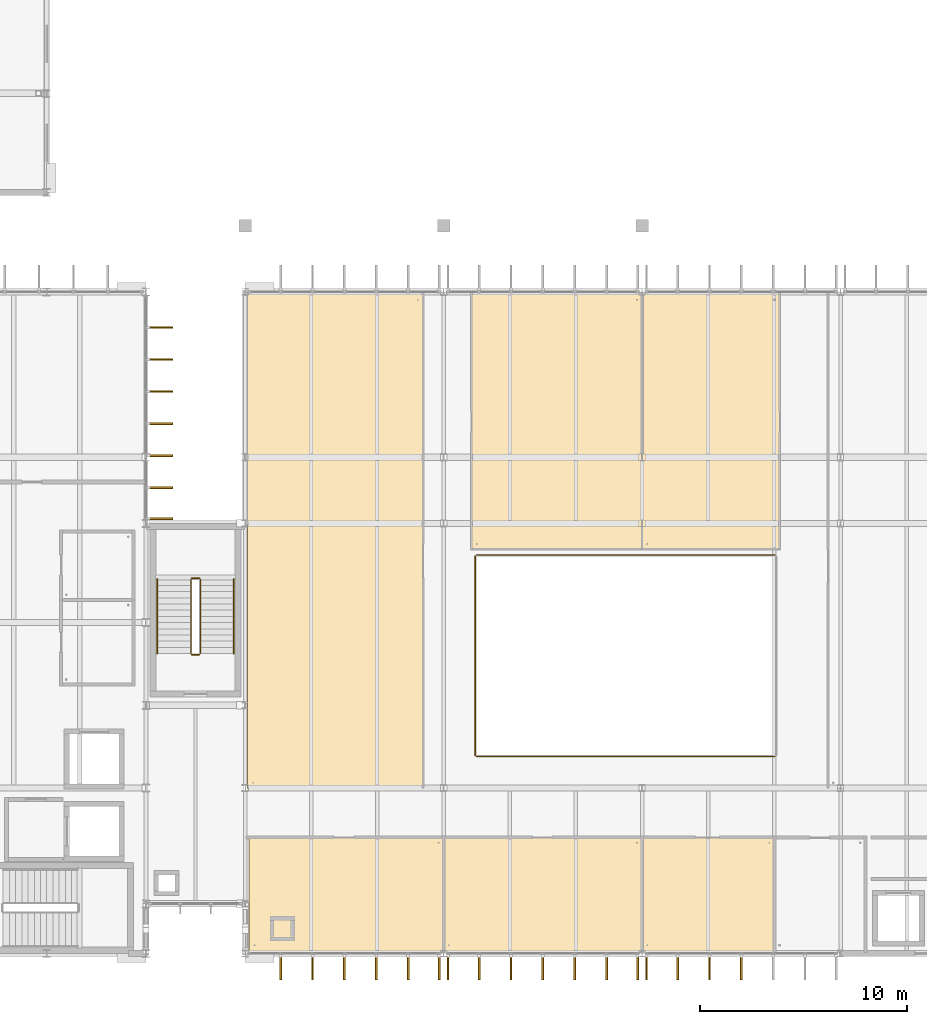
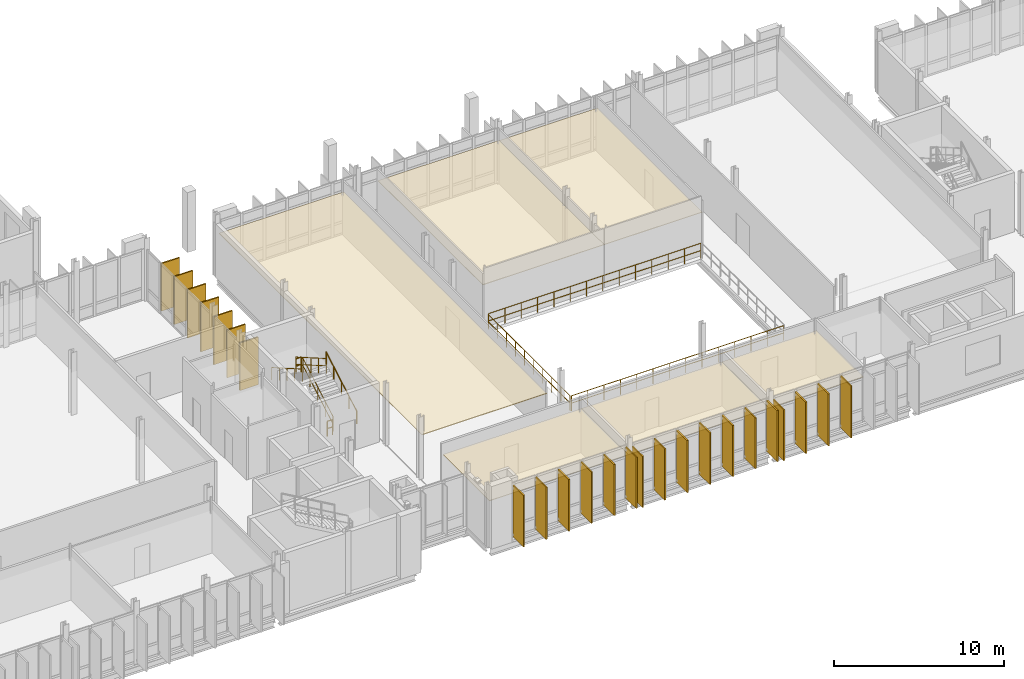
# One storey, part 102 of 110: 30 coverings, 9 railings.
"""IFC4 building model written with IfcOpenShell, lengths in metres."""

import ifcopenshell
import ifcopenshell.guid

model = None  # the IFC model being written
_history = None  # IfcOwnerHistory: only IFC2X3 demands one
_inside = {}  # id of a spatial element -> (the spatial element, [elements in it])
_under = {}  # id of a project, library or spatial element -> (it, [spatial elements below it])
_declared = {}  # id of a project -> (the project, [libraries it declares])
_typed = {}  # id of a type object -> (the type object, [elements of that type])
_made_of = {}  # id of a material, layer set ... -> (it, [elements and type objects made of it])


def new_model(schema):
    """Start an empty IFC model of exactly this schema.

    Asked for "IFC4X3", IfcOpenShell would pick the latest addendum, in which some entities
    have other attributes; the version numbers below select the first issue.
    IFC2X3 requires an IfcOwnerHistory on every rooted entity: one is made here for all.
    """
    global model, _history
    if schema == "IFC4X3":
        model = ifcopenshell.file(schema_version=(4, 3, 0, 0))
    else:
        model = ifcopenshell.file(schema=schema)
    _inside.clear()
    _under.clear()
    _declared.clear()
    _typed.clear()
    _made_of.clear()
    _history = None
    if model.schema == "IFC2X3":
        org = make("IfcOrganization", Name="unknown")
        user = make(
            "IfcPersonAndOrganization",
            ThePerson=make("IfcPerson", FamilyName="unknown"),
            TheOrganization=org,
        )
        app = make(
            "IfcApplication",
            ApplicationDeveloper=org,
            Version="unknown",
            ApplicationFullName="unknown",
            ApplicationIdentifier="unknown",
        )
        _history = make(
            "IfcOwnerHistory",
            OwningUser=user,
            OwningApplication=app,
            ChangeAction="ADDED",
            CreationDate=0,
        )
    return model


def make(cls, **values):
    """One entity of the class cls with the attributes given. An attribute that is None is left unset."""
    return model.create_entity(
        cls, **{name: value for name, value in values.items() if value is not None}
    )


def rooted(cls, **values):
    """An entity with a GlobalId (a new one), such as an element, a storey or a relation."""
    return make(cls, GlobalId=ifcopenshell.guid.new(), OwnerHistory=_history, **values)


def si_unit(unit_type, name, prefix=None):
    """IfcSIUnit, for example si_unit("LENGTHUNIT", "METRE", prefix="MILLI")."""
    return make("IfcSIUnit", UnitType=unit_type, Prefix=prefix, Name=name)


def assignment(units):
    """IfcUnitAssignment: the units of a project."""
    return None if units is None else make("IfcUnitAssignment", Units=units)


def point(xyz):
    """IfcCartesianPoint."""
    return None if xyz is None else make("IfcCartesianPoint", Coordinates=xyz)


def direction(xyz):
    """IfcDirection."""
    return None if xyz is None else make("IfcDirection", DirectionRatios=xyz)


def frame(location, z_axis=None, x_axis=None):
    """IfcAxis2Placement3D, a coordinate frame: its origin and axes. An axis left out is left unset."""
    return make(
        "IfcAxis2Placement3D",
        Location=point(location),
        Axis=direction(z_axis),
        RefDirection=direction(x_axis),
    )


def frame_2d(location, x_axis=None):
    """IfcAxis2Placement2D, a coordinate frame in the plane: its origin and x axis."""
    return make(
        "IfcAxis2Placement2D", Location=point(location), RefDirection=direction(x_axis)
    )


def origin():
    """The frame at (0, 0, 0) with its axes left unset."""
    return frame((0.0, 0.0, 0.0))


def origin_2d():
    """The frame at (0, 0) in the plane with its x axis left unset."""
    return frame_2d((0.0, 0.0))


def place(relative_to, where):
    """IfcLocalPlacement: puts the frame where relative to a parent placement (None: the world)."""
    return make(
        "IfcLocalPlacement", PlacementRelTo=relative_to, RelativePlacement=where
    )


def context(
    kind, dimensions, precision=None, world=None, true_north=None, identifier=None
):
    """IfcGeometricRepresentationContext, for example the 3D "Model" context."""
    return make(
        "IfcGeometricRepresentationContext",
        ContextIdentifier=identifier,
        ContextType=kind,
        CoordinateSpaceDimension=dimensions,
        Precision=precision,
        WorldCoordinateSystem=world,
        TrueNorth=true_north,
    )


def subcontext(parent, identifier, kind, view, scale=None):
    """IfcGeometricRepresentationSubContext, for example "Body" below "Model"."""
    return make(
        "IfcGeometricRepresentationSubContext",
        ContextIdentifier=identifier,
        ContextType=kind,
        ParentContext=parent,
        TargetScale=scale,
        TargetView=view,
    )


def project(units=None, contexts=None):
    """IfcProject with its units and contexts."""
    return rooted(
        "IfcProject",
        Name="project",
        RepresentationContexts=contexts,
        UnitsInContext=assignment(units),
    )


def spatial(cls, under=None, at=None, **own):
    """A site, building, storey or space (cls), placed at a placement, below another one or the project."""
    s = rooted(cls, ObjectPlacement=at, **own)
    if under is not None:
        _under.setdefault(under.id(), (under, []))[1].append(s)
    return s


def polyline(points):
    """IfcPolyline through the points."""
    return make("IfcPolyline", Points=[point(p) for p in points])


def profile(cls, at=None, kind="AREA", **sizes):
    """A parametric profile (cls). Its sizes go by their IFC names, for example OverallWidth=200.0."""
    return make(cls, ProfileType=kind, Position=at, **sizes)


def rectangle(**sizes):
    """IfcRectangleProfileDef."""
    return profile("IfcRectangleProfileDef", **sizes)


def circle(**sizes):
    """IfcCircleProfileDef."""
    return profile("IfcCircleProfileDef", **sizes)


def outline(outer, holes=None, kind="AREA"):
    """IfcArbitraryClosedProfileDef: a profile drawn as a closed curve; with holes, ...WithVoids."""
    if holes is None:
        return make("IfcArbitraryClosedProfileDef", ProfileType=kind, OuterCurve=outer)
    return make(
        "IfcArbitraryProfileDefWithVoids",
        ProfileType=kind,
        OuterCurve=outer,
        InnerCurves=holes,
    )


def extrude(swept, where, along, depth):
    """IfcExtrudedAreaSolid: the profile swept, set in the frame where, extruded along a direction by depth."""
    return make(
        "IfcExtrudedAreaSolid",
        SweptArea=swept,
        Position=where,
        ExtrudedDirection=direction(along),
        Depth=depth,
    )


def shape(context_of_items, identifier, shape_type, items):
    """IfcShapeRepresentation: the items that make up one representation, for example the "Body"."""
    return make(
        "IfcShapeRepresentation",
        ContextOfItems=context_of_items,
        RepresentationIdentifier=identifier,
        RepresentationType=shape_type,
        Items=items,
    )


def material(Name=None, Category=None):
    """IfcMaterial."""
    return make("IfcMaterial", Name=Name, Category=Category)


def layer(
    of_material, thickness, ventilated=None, Name=None, Category=None, Priority=None
):
    """IfcMaterialLayer: one layer of a wall or slab, of a material (None: an air gap)."""
    return make(
        "IfcMaterialLayer",
        Material=of_material,
        LayerThickness=thickness,
        IsVentilated=ventilated,
        Name=Name,
        Category=Category,
        Priority=Priority,
    )


def layer_set(layers, Name=None):
    """IfcMaterialLayerSet."""
    return make("IfcMaterialLayerSet", MaterialLayers=layers, LayerSetName=Name)


def made_of(thing, what):
    """Note that an element or type object is made of a material, layer set ...; save() writes the relation."""
    if what is not None:
        _made_of.setdefault(what.id(), (what, []))[1].append(thing)
    return thing


def type_object(cls, material=None, **own):
    """A type object (cls), such as IfcWallType, which elements share."""
    return made_of(rooted(cls, **own), material)


def element(
    cls,
    number,
    at=None,
    inside=None,
    cuts=None,
    type_object=None,
    material=None,
    context=None,
    identifier="Body",
    shape_type=None,
    held_by="IfcProductDefinitionShape",
    body=None,
    shapes=None,
    **own,
):
    """One element of the class cls, such as IfcWall. Its Tag is "e" and its number.

    at: its placement. inside: the storey or other place that contains it. cuts: it is an
    opening in that element (IfcRelVoidsElement). A single representation is given by context,
    identifier, shape_type and body (its items); several are given by shapes. held_by: the class
    of the entity that holds the representations. save() writes the other relations.
    """
    e = rooted(cls, Tag="e%d" % number, ObjectPlacement=at, **own)
    if body is not None:
        shapes = [shape(context, identifier, shape_type, body)]
    if shapes is not None:
        e.Representation = make(held_by, Representations=shapes)
    if inside is not None:
        _inside.setdefault(inside.id(), (inside, []))[1].append(e)
    if cuts is not None:
        rooted(
            "IfcRelVoidsElement", RelatingBuildingElement=cuts, RelatedOpeningElement=e
        )
    if type_object is not None:
        _typed.setdefault(type_object.id(), (type_object, []))[1].append(e)
    return made_of(e, material)


def aggregate(whole, parts):
    """IfcRelAggregates: a whole, such as a stair, and the parts it consists of."""
    return rooted("IfcRelAggregates", RelatingObject=whole, RelatedObjects=parts)


def save(model, path):
    """Write the relations noted so far, then the file.

    IfcRelAggregates (storeys below a building ...), IfcRelContainedInSpatialStructure (elements
    in a storey), IfcRelDefinesByType, IfcRelAssociatesMaterial and IfcRelDeclares: one each for
    every whole, place, type object, material and project.
    """
    for whole, parts in _under.values():
        aggregate(whole, parts)
    for where, things in _inside.values():
        rooted(
            "IfcRelContainedInSpatialStructure",
            RelatedElements=things,
            RelatingStructure=where,
        )
    for kind, things in _typed.values():
        rooted("IfcRelDefinesByType", RelatedObjects=things, RelatingType=kind)
    for what, things in _made_of.values():
        rooted("IfcRelAssociatesMaterial", RelatedObjects=things, RelatingMaterial=what)
    for by, libraries in _declared.values():
        rooted("IfcRelDeclares", RelatingContext=by, RelatedDefinitions=libraries)
    model.write(path)


model = new_model("IFC4")

# Units and contexts
model_context = context("Model", 3, precision=1e-05, world=origin(), true_north=direction((0.0, 1.0)))
body_context = subcontext(model_context, "Body", "Model", "MODEL_VIEW")
ifc_project = project(units=[si_unit("LENGTHUNIT", "METRE"), si_unit("AREAUNIT", "SQUARE_METRE"), si_unit("VOLUMEUNIT", "CUBIC_METRE"), si_unit("PLANEANGLEUNIT", "RADIAN"), si_unit("MASSUNIT", "GRAM", prefix="KILO")], contexts=[model_context])

# Site, building, storey
site_placement = place(None, origin())
site = spatial("IfcSite", under=ifc_project, at=site_placement, CompositionType="ELEMENT")
building_placement = place(site_placement, origin())
building = spatial("IfcBuilding", under=site, at=building_placement, Name="Dunescarp Central Library", CompositionType="ELEMENT")
storey_placement = place(building_placement, frame((0.0, 0.0, 9.60009765625)))
storey = spatial("IfcBuildingStorey", under=building, at=storey_placement, Name="L02", CompositionType="ELEMENT", Elevation=9.60009765625)

# Coverings
ifc_material_1 = material(Name="Perforated birch acoustic timber baffle", Category="wood")
ifc_layer_1 = layer(ifc_material_1, 0.050048828125)
ifc_layer_set_1 = layer_set([ifc_layer_1], Name="Perforated birch acoustic timber baffle")
covering_type_1 = type_object("IfcCoveringType", Name="ARC-COV-BAFFLE", PredefinedType="CEILING", material=ifc_layer_set_1)
covering_1_placement = place(storey_placement, frame((0.0, 0.0, 3.0498046875)))
element("IfcCovering", 1, at=covering_1_placement, inside=storey, type_object=covering_type_1, Name="L02 ceiling L02 Periodical Reading Alcove", PredefinedType="CEILING", context=body_context, shape_type="SweptSolid", body=[
    extrude(outline(polyline([(57.580078125, 4.919921875), (64.02001953125, 4.919921875), (64.02001953125, 10.419921875), (57.580078125, 10.419921875), (57.580078125, 4.919921875)])), origin(), (0.0, 0.0, 1.0), 0.050048828125),
])
covering_2_placement = place(storey_placement, frame((0.0, 0.0, 3.0498046875)))
element("IfcCovering", 2, at=covering_2_placement, inside=storey, type_object=covering_type_1, Name="L02 ceiling L02 West Stepped Reading Terrace", PredefinedType="CEILING", context=body_context, shape_type="SweptSolid", body=[
    extrude(outline(polyline([(38.52001953125, 12.780029296875), (47.02001953125, 12.780029296875), (47.02001953125, 36.679931640625), (38.52001953125, 36.679931640625), (38.52001953125, 12.780029296875)])), origin(), (0.0, 0.0, 1.0), 0.050048828125),
])
ifc_material_2 = material(Name="Mineral-fibre acoustic ceiling tile")
ifc_layer_2 = layer(ifc_material_2, 0.0400390625)
ifc_layer_set_2 = layer_set([ifc_layer_2], Name="Mineral-fibre acoustic ceiling tile")
covering_type_2 = type_object("IfcCoveringType", Name="ARC-COV-CEIL40", PredefinedType="CEILING", material=ifc_layer_set_2)
covering_3_placement = place(storey_placement, frame((0.0, 0.0, 3.0498046875)))
element("IfcCovering", 3, at=covering_3_placement, inside=storey, type_object=covering_type_2, Name="L02 ceiling L02 Group Study Room A", PredefinedType="CEILING", context=body_context, shape_type="SweptSolid", body=[
    extrude(outline(polyline([(38.580078125, 4.919921875), (48.02001953125, 4.919921875), (48.02001953125, 10.419921875), (38.580078125, 10.419921875), (38.580078125, 4.919921875)])), origin(), (0.0, 0.0, 1.0), 0.0400390625),
])
covering_4_placement = place(storey_placement, frame((0.0, 0.0, 3.0498046875)))
element("IfcCovering", 4, at=covering_4_placement, inside=storey, type_object=covering_type_2, Name="L02 ceiling L02 Group Study Room B", PredefinedType="CEILING", context=body_context, shape_type="SweptSolid", body=[
    extrude(outline(polyline([(47.97998046875, 4.919921875), (57.6201171875, 4.919921875), (57.6201171875, 10.419921875), (47.97998046875, 10.419921875), (47.97998046875, 4.919921875)])), origin(), (0.0, 0.0, 1.0), 0.0400390625),
])
covering_5_placement = place(storey_placement, frame((0.0, 0.0, 3.0498046875)))
element("IfcCovering", 5, at=covering_5_placement, inside=storey, type_object=covering_type_2, Name="L02 ceiling L02 North Water-Court Study Lounge West", PredefinedType="CEILING", context=body_context, shape_type="SweptSolid", body=[
    extrude(outline(polyline([(49.330078125, 24.330078125), (57.6201171875, 24.330078125), (57.6201171875, 36.679931640625), (49.330078125, 36.679931640625), (49.330078125, 24.330078125)])), origin(), (0.0, 0.0, 1.0), 0.0400390625),
])
covering_6_placement = place(storey_placement, frame((0.0, 0.0, 3.0498046875)))
element("IfcCovering", 6, at=covering_6_placement, inside=storey, type_object=covering_type_2, Name="L02 ceiling L02 North Water-Court Study Lounge East", PredefinedType="CEILING", context=body_context, shape_type="SweptSolid", body=[
    extrude(outline(polyline([(57.580078125, 24.330078125), (64.27001953125, 24.330078125), (64.27001953125, 36.679931640625), (57.580078125, 36.679931640625), (57.580078125, 24.330078125)])), origin(), (0.0, 0.0, 1.0), 0.0400390625),
])
ifc_material_3 = material(Name="Glass-fibre reinforced concrete GRC", Category="concrete")
ifc_layer_3 = layer(ifc_material_3, 0.090087890625)
ifc_layer_set_3 = layer_set([ifc_layer_3], Name="Glass-fibre reinforced concrete GRC")
covering_type_3 = type_object("IfcCoveringType", Name="ARC-COV-FIN1250", PredefinedType="CLADDING", material=ifc_layer_set_3)
covering_7_placement = place(storey_placement, frame((34.261962890625, 35.074951171875, 0.17919921875), z_axis=(0.0, 0.0, 1.0), x_axis=(1.0, 0.0, 0.0)))
element("IfcCovering", 7, at=covering_7_placement, inside=storey, type_object=covering_type_3, Name="L02 parametric vertical facade fin FIN-L02-0113", PredefinedType="CLADDING", context=body_context, shape_type="SweptSolid", body=[
    extrude(rectangle(XDim=1.25, YDim=0.090087890625, at=origin_2d()), origin(), (0.0, 0.0, 1.0), 3.425048828125),
])
covering_8_placement = place(storey_placement, frame((34.261962890625, 33.52490234375, 0.16455078125), z_axis=(0.0, 0.0, 1.0), x_axis=(1.0, 0.0, 0.0)))
element("IfcCovering", 8, at=covering_8_placement, inside=storey, type_object=covering_type_3, Name="L02 parametric vertical facade fin FIN-L02-0114", PredefinedType="CLADDING", context=body_context, shape_type="SweptSolid", body=[
    extrude(rectangle(XDim=1.25, YDim=0.090087890625, at=origin_2d()), origin(), (0.0, 0.0, 1.0), 3.44091796875),
])
covering_9_placement = place(storey_placement, frame((34.261962890625, 31.97509765625, 0.123046875), z_axis=(0.0, 0.0, 1.0), x_axis=(1.0, 0.0, 0.0)))
element("IfcCovering", 9, at=covering_9_placement, inside=storey, type_object=covering_type_3, Name="L02 parametric vertical facade fin FIN-L02-0115", PredefinedType="CLADDING", context=body_context, shape_type="SweptSolid", body=[
    extrude(rectangle(XDim=1.25, YDim=0.090087890625, at=origin_2d()), origin(), (0.0, 0.0, 1.0), 3.48193359375),
])
covering_10_placement = place(storey_placement, frame((34.261962890625, 30.425048828125, 0.080078125), z_axis=(0.0, 0.0, 1.0), x_axis=(1.0, 0.0, 0.0)))
element("IfcCovering", 10, at=covering_10_placement, inside=storey, type_object=covering_type_3, Name="L02 parametric vertical facade fin FIN-L02-0116", PredefinedType="CLADDING", context=body_context, shape_type="SweptSolid", body=[
    extrude(rectangle(XDim=1.25, YDim=0.090087890625, at=origin_2d()), origin(), (0.0, 0.0, 1.0), 3.513916015625),
])
covering_11_placement = place(storey_placement, frame((34.261962890625, 28.875, 0.080078125), z_axis=(0.0, 0.0, 1.0), x_axis=(1.0, 0.0, 0.0)))
element("IfcCovering", 11, at=covering_11_placement, inside=storey, type_object=covering_type_3, Name="L02 parametric vertical facade fin FIN-L02-0117", PredefinedType="CLADDING", context=body_context, shape_type="SweptSolid", body=[
    extrude(rectangle(XDim=1.25, YDim=0.090087890625, at=origin_2d()), origin(), (0.0, 0.0, 1.0), 3.464111328125),
])
covering_12_placement = place(storey_placement, frame((34.261962890625, 27.324951171875, 0.08056640625), z_axis=(0.0, 0.0, 1.0), x_axis=(1.0, 0.0, 0.0)))
element("IfcCovering", 12, at=covering_12_placement, inside=storey, type_object=covering_type_3, Name="L02 parametric vertical facade fin FIN-L02-0118", PredefinedType="CLADDING", context=body_context, shape_type="SweptSolid", body=[
    extrude(rectangle(XDim=1.25, YDim=0.090087890625, at=origin_2d()), origin(), (0.0, 0.0, 1.0), 3.430908203125),
])
covering_13_placement = place(storey_placement, frame((34.261962890625, 25.81494140625, 0.07958984375), z_axis=(0.0, 0.0, 1.0), x_axis=(1.0, 0.0, 0.0)))
element("IfcCovering", 13, at=covering_13_placement, inside=storey, type_object=covering_type_3, Name="L02 parametric vertical facade fin FIN-L02-0119", PredefinedType="CLADDING", context=body_context, shape_type="SweptSolid", body=[
    extrude(rectangle(XDim=1.25, YDim=0.090087890625, at=origin_2d()), origin(), (0.0, 0.0, 1.0), 3.427001953125),
])
covering_14_placement = place(storey_placement, frame((47.784912109375, 4.137939453125, 0.1669921875), z_axis=(0.0, 0.0, 1.0), x_axis=(0.0, -1.0, 0.0)))
element("IfcCovering", 14, at=covering_14_placement, inside=storey, type_object=covering_type_3, Name="L02 parametric vertical facade fin FIN-L02-0378", PredefinedType="CLADDING", context=body_context, shape_type="SweptSolid", body=[
    extrude(rectangle(XDim=1.25, YDim=0.090087890625, at=origin_2d()), origin(), (0.0, 0.0, 1.0), 3.677978515625),
])
covering_15_placement = place(storey_placement, frame((46.282958984375, 4.137939453125, 0.180419921875), z_axis=(0.0, 0.0, 1.0), x_axis=(0.0, -1.0, 0.0)))
element("IfcCovering", 15, at=covering_15_placement, inside=storey, type_object=covering_type_3, Name="L02 parametric vertical facade fin FIN-L02-0379", PredefinedType="CLADDING", context=body_context, shape_type="SweptSolid", body=[
    extrude(rectangle(XDim=1.25, YDim=0.090087890625, at=origin_2d()), origin(), (0.0, 0.0, 1.0), 3.6650390625),
])
covering_16_placement = place(storey_placement, frame((44.741943359375, 4.137939453125, 0.16357421875), z_axis=(0.0, 0.0, 1.0), x_axis=(0.0, -1.0, 0.0)))
element("IfcCovering", 16, at=covering_16_placement, inside=storey, type_object=covering_type_3, Name="L02 parametric vertical facade fin FIN-L02-0380", PredefinedType="CLADDING", context=body_context, shape_type="SweptSolid", body=[
    extrude(rectangle(XDim=1.25, YDim=0.090087890625, at=origin_2d()), origin(), (0.0, 0.0, 1.0), 3.680908203125),
])
covering_17_placement = place(storey_placement, frame((43.199951171875, 4.137939453125, 0.123046875), z_axis=(0.0, 0.0, 1.0), x_axis=(0.0, -1.0, 0.0)))
element("IfcCovering", 17, at=covering_17_placement, inside=storey, type_object=covering_type_3, Name="L02 parametric vertical facade fin FIN-L02-0381", PredefinedType="CLADDING", context=body_context, shape_type="SweptSolid", body=[
    extrude(rectangle(XDim=1.25, YDim=0.090087890625, at=origin_2d()), origin(), (0.0, 0.0, 1.0), 3.721923828125),
])
covering_18_placement = place(storey_placement, frame((41.657958984375, 4.137939453125, 0.079833984375), z_axis=(0.0, 0.0, 1.0), x_axis=(0.0, -1.0, 0.0)))
element("IfcCovering", 18, at=covering_18_placement, inside=storey, type_object=covering_type_3, Name="L02 parametric vertical facade fin FIN-L02-0382", PredefinedType="CLADDING", context=body_context, shape_type="SweptSolid", body=[
    extrude(rectangle(XDim=1.25, YDim=0.090087890625, at=origin_2d()), origin(), (0.0, 0.0, 1.0), 3.75390625),
])
covering_19_placement = place(storey_placement, frame((40.116943359375, 4.137939453125, 0.079833984375), z_axis=(0.0, 0.0, 1.0), x_axis=(0.0, -1.0, 0.0)))
element("IfcCovering", 19, at=covering_19_placement, inside=storey, type_object=covering_type_3, Name="L02 parametric vertical facade fin FIN-L02-0383", PredefinedType="CLADDING", context=body_context, shape_type="SweptSolid", body=[
    extrude(rectangle(XDim=1.25, YDim=0.090087890625, at=origin_2d()), origin(), (0.0, 0.0, 1.0), 3.7041015625),
])
covering_20_placement = place(storey_placement, frame((57.385009765625, 4.137939453125, 0.1669921875), z_axis=(0.0, 0.0, 1.0), x_axis=(0.0, -1.0, 0.0)))
element("IfcCovering", 20, at=covering_20_placement, inside=storey, type_object=covering_type_3, Name="L02 parametric vertical facade fin FIN-L02-0384", PredefinedType="CLADDING", context=body_context, shape_type="SweptSolid", body=[
    extrude(rectangle(XDim=1.25, YDim=0.090087890625, at=origin_2d()), origin(), (0.0, 0.0, 1.0), 3.677978515625),
])
covering_21_placement = place(storey_placement, frame((55.883056640625, 4.137939453125, 0.180419921875), z_axis=(0.0, 0.0, 1.0), x_axis=(0.0, -1.0, 0.0)))
element("IfcCovering", 21, at=covering_21_placement, inside=storey, type_object=covering_type_3, Name="L02 parametric vertical facade fin FIN-L02-0385", PredefinedType="CLADDING", context=body_context, shape_type="SweptSolid", body=[
    extrude(rectangle(XDim=1.25, YDim=0.090087890625, at=origin_2d()), origin(), (0.0, 0.0, 1.0), 3.6650390625),
])
covering_22_placement = place(storey_placement, frame((54.342041015625, 4.137939453125, 0.16357421875), z_axis=(0.0, 0.0, 1.0), x_axis=(0.0, -1.0, 0.0)))
element("IfcCovering", 22, at=covering_22_placement, inside=storey, type_object=covering_type_3, Name="L02 parametric vertical facade fin FIN-L02-0386", PredefinedType="CLADDING", context=body_context, shape_type="SweptSolid", body=[
    extrude(rectangle(XDim=1.25, YDim=0.090087890625, at=origin_2d()), origin(), (0.0, 0.0, 1.0), 3.680908203125),
])
covering_23_placement = place(storey_placement, frame((52.800048828125, 4.137939453125, 0.123046875), z_axis=(0.0, 0.0, 1.0), x_axis=(0.0, -1.0, 0.0)))
element("IfcCovering", 23, at=covering_23_placement, inside=storey, type_object=covering_type_3, Name="L02 parametric vertical facade fin FIN-L02-0387", PredefinedType="CLADDING", context=body_context, shape_type="SweptSolid", body=[
    extrude(rectangle(XDim=1.25, YDim=0.090087890625, at=origin_2d()), origin(), (0.0, 0.0, 1.0), 3.721923828125),
])
covering_24_placement = place(storey_placement, frame((51.258056640625, 4.137939453125, 0.079833984375), z_axis=(0.0, 0.0, 1.0), x_axis=(0.0, -1.0, 0.0)))
element("IfcCovering", 24, at=covering_24_placement, inside=storey, type_object=covering_type_3, Name="L02 parametric vertical facade fin FIN-L02-0388", PredefinedType="CLADDING", context=body_context, shape_type="SweptSolid", body=[
    extrude(rectangle(XDim=1.25, YDim=0.090087890625, at=origin_2d()), origin(), (0.0, 0.0, 1.0), 3.75390625),
])
covering_25_placement = place(storey_placement, frame((49.717041015625, 4.137939453125, 0.079833984375), z_axis=(0.0, 0.0, 1.0), x_axis=(0.0, -1.0, 0.0)))
element("IfcCovering", 25, at=covering_25_placement, inside=storey, type_object=covering_type_3, Name="L02 parametric vertical facade fin FIN-L02-0389", PredefinedType="CLADDING", context=body_context, shape_type="SweptSolid", body=[
    extrude(rectangle(XDim=1.25, YDim=0.090087890625, at=origin_2d()), origin(), (0.0, 0.0, 1.0), 3.7041015625),
])
covering_26_placement = place(storey_placement, frame((48.215087890625, 4.137939453125, 0.079345703125), z_axis=(0.0, 0.0, 1.0), x_axis=(0.0, -1.0, 0.0)))
element("IfcCovering", 26, at=covering_26_placement, inside=storey, type_object=covering_type_3, Name="L02 parametric vertical facade fin FIN-L02-0390", PredefinedType="CLADDING", context=body_context, shape_type="SweptSolid", body=[
    extrude(rectangle(XDim=1.25, YDim=0.090087890625, at=origin_2d()), origin(), (0.0, 0.0, 1.0), 3.6708984375),
])
covering_27_placement = place(storey_placement, frame((62.39990234375, 4.137939453125, 0.123046875), z_axis=(0.0, 0.0, 1.0), x_axis=(0.0, -1.0, 0.0)))
element("IfcCovering", 27, at=covering_27_placement, inside=storey, type_object=covering_type_3, Name="L02 parametric vertical facade fin FIN-L02-0394", PredefinedType="CLADDING", context=body_context, shape_type="SweptSolid", body=[
    extrude(rectangle(XDim=1.25, YDim=0.090087890625, at=origin_2d()), origin(), (0.0, 0.0, 1.0), 3.721923828125),
])
covering_28_placement = place(storey_placement, frame((60.85791015625, 4.137939453125, 0.079833984375), z_axis=(0.0, 0.0, 1.0), x_axis=(0.0, -1.0, 0.0)))
element("IfcCovering", 28, at=covering_28_placement, inside=storey, type_object=covering_type_3, Name="L02 parametric vertical facade fin FIN-L02-0395", PredefinedType="CLADDING", context=body_context, shape_type="SweptSolid", body=[
    extrude(rectangle(XDim=1.25, YDim=0.090087890625, at=origin_2d()), origin(), (0.0, 0.0, 1.0), 3.75390625),
])
covering_29_placement = place(storey_placement, frame((59.31689453125, 4.137939453125, 0.079833984375), z_axis=(0.0, 0.0, 1.0), x_axis=(0.0, -1.0, 0.0)))
element("IfcCovering", 29, at=covering_29_placement, inside=storey, type_object=covering_type_3, Name="L02 parametric vertical facade fin FIN-L02-0396", PredefinedType="CLADDING", context=body_context, shape_type="SweptSolid", body=[
    extrude(rectangle(XDim=1.25, YDim=0.090087890625, at=origin_2d()), origin(), (0.0, 0.0, 1.0), 3.7041015625),
])
covering_30_placement = place(storey_placement, frame((57.81494140625, 4.137939453125, 0.079345703125), z_axis=(0.0, 0.0, 1.0), x_axis=(0.0, -1.0, 0.0)))
element("IfcCovering", 30, at=covering_30_placement, inside=storey, type_object=covering_type_3, Name="L02 parametric vertical facade fin FIN-L02-0397", PredefinedType="CLADDING", context=body_context, shape_type="SweptSolid", body=[
    extrude(rectangle(XDim=1.25, YDim=0.090087890625, at=origin_2d()), origin(), (0.0, 0.0, 1.0), 3.6708984375),
])

# Railings
ifc_material_4 = material(Name="Stainless steel Grade 316L", Category="steel")
railing_type_1 = type_object("IfcRailingType", Name="ARC-RL-GUARD", PredefinedType="GUARDRAIL", material=ifc_material_4)
railing_1_placement = place(storey_placement, frame((36.22998046875, 19.300048828125, 0.173095703125)))
element("IfcRailing", 31, at=railing_1_placement, inside=storey, type_object=railing_type_1, Name="L02 ST-2 stair guard 1", PredefinedType="GUARDRAIL", context=body_context, shape_type="SweptSolid", body=[
    extrude(circle(Radius=0.02392578125, at=origin_2d()), frame((0.0, 0.0, 1.076171875), z_axis=(0.0, 0.866178740119, 0.499734319579), x_axis=(-1.0, 0.0, 0.0)), (0.0, 0.0, 1.0), 4.156005859375),
    extrude(circle(Radius=0.02392578125, at=origin_2d()), frame((0.0, 0.0, 0.550048828125), z_axis=(0.0, 0.866178740119, 0.499734319579), x_axis=(-1.0, 0.0, 0.0)), (0.0, 0.0, 1.0), 4.156005859375),
    extrude(circle(Radius=0.02099609375, at=origin_2d()), origin(), (0.0, 0.0, 1.0), 1.052001953125),
    extrude(circle(Radius=0.02099609375, at=origin_2d()), frame((0.0, 0.89990234375, 0.519287109375)), (0.0, 0.0, 1.0), 1.052001953125),
    extrude(circle(Radius=0.02099609375, at=origin_2d()), frame((0.0, 1.7998046875, 1.03857421875)), (0.0, 0.0, 1.0), 1.052001953125),
    extrude(circle(Radius=0.02099609375, at=origin_2d()), frame((0.0, 2.699951171875, 1.5576171875)), (0.0, 0.0, 1.0), 1.052001953125),
    extrude(circle(Radius=0.02099609375, at=origin_2d()), frame((0.0, 3.599853515625, 2.076904296875)), (0.0, 0.0, 1.0), 1.052001953125),
])
railing_2_placement = place(storey_placement, frame((36.179931640625, 22.949951171875, 2.25)))
element("IfcRailing", 32, at=railing_2_placement, inside=storey, type_object=railing_type_1, Name="L02 ST-2 stair guard 2", PredefinedType="GUARDRAIL", context=body_context, shape_type="SweptSolid", body=[
    extrude(circle(Radius=0.02392578125, at=origin_2d()), frame((0.0, 0.0, 1.076171875), z_axis=(-1.0, 0.0, 0.0), x_axis=(0.0, -1.0, 0.0)), (0.0, 0.0, 1.0), 0.35986328125),
    extrude(circle(Radius=0.02392578125, at=origin_2d()), frame((0.0, 0.0, 0.550048828125), z_axis=(-1.0, 0.0, 0.0), x_axis=(0.0, -1.0, 0.0)), (0.0, 0.0, 1.0), 0.35986328125),
    extrude(circle(Radius=0.02099609375, at=origin_2d()), origin(), (0.0, 0.0, 1.0), 1.052001953125),
    extrude(circle(Radius=0.02099609375, at=origin_2d()), frame((-0.35986328125, 0.0, 0.0)), (0.0, 0.0, 1.0), 1.052001953125),
])
railing_3_placement = place(storey_placement, frame((35.77001953125, 22.89990234375, 2.423095703125)))
element("IfcRailing", 33, at=railing_3_placement, inside=storey, type_object=railing_type_1, Name="L02 ST-2 stair guard 3", PredefinedType="GUARDRAIL", context=body_context, shape_type="SweptSolid", body=[
    extrude(circle(Radius=0.02392578125, at=origin_2d()), frame((0.0, 0.0, 1.076171875), z_axis=(0.0, -0.866178740119, 0.499734319579), x_axis=(1.0, 0.0, 0.0)), (0.0, 0.0, 1.0), 4.156005859375),
    extrude(circle(Radius=0.02392578125, at=origin_2d()), frame((0.0, 0.0, 0.550048828125), z_axis=(0.0, -0.866178740119, 0.499734319579), x_axis=(1.0, 0.0, 0.0)), (0.0, 0.0, 1.0), 4.156005859375),
    extrude(circle(Radius=0.02099609375, at=origin_2d()), origin(), (0.0, 0.0, 1.0), 1.052001953125),
    extrude(circle(Radius=0.02099609375, at=origin_2d()), frame((0.0, -0.89990234375, 0.519287109375)), (0.0, 0.0, 1.0), 1.052001953125),
    extrude(circle(Radius=0.02099609375, at=origin_2d()), frame((0.0, -1.7998046875, 1.03857421875)), (0.0, 0.0, 1.0), 1.052001953125),
    extrude(circle(Radius=0.02099609375, at=origin_2d()), frame((0.0, -2.699951171875, 1.5576171875)), (0.0, 0.0, 1.0), 1.052001953125),
    extrude(circle(Radius=0.02099609375, at=origin_2d()), frame((0.0, -3.599853515625, 2.076904296875)), (0.0, 0.0, 1.0), 1.052001953125),
])
railing_4_placement = place(storey_placement, frame((36.179931640625, 19.25, 0.0)))
element("IfcRailing", 34, at=railing_4_placement, inside=storey, type_object=railing_type_1, Name="L02 ST-2 stair guard 4", PredefinedType="GUARDRAIL", context=body_context, shape_type="SweptSolid", body=[
    extrude(circle(Radius=0.02392578125, at=origin_2d()), frame((0.0, 0.0, 1.076171875), z_axis=(-1.0, 0.0, 0.0), x_axis=(0.0, -1.0, 0.0)), (0.0, 0.0, 1.0), 0.35986328125),
    extrude(circle(Radius=0.02392578125, at=origin_2d()), frame((0.0, 0.0, 0.550048828125), z_axis=(-1.0, 0.0, 0.0), x_axis=(0.0, -1.0, 0.0)), (0.0, 0.0, 1.0), 0.35986328125),
    extrude(circle(Radius=0.02099609375, at=origin_2d()), origin(), (0.0, 0.0, 1.0), 1.052001953125),
    extrude(circle(Radius=0.02099609375, at=origin_2d()), frame((-0.35986328125, 0.0, 0.0)), (0.0, 0.0, 1.0), 1.052001953125),
])
railing_5_placement = place(storey_placement, frame((49.580078125, 14.320068359375, 0.0)))
element("IfcRailing", 35, at=railing_5_placement, inside=storey, type_object=railing_type_1, Name="L02 void guardrail GRD-ATR-L02-S", PredefinedType="GUARDRAIL", context=body_context, shape_type="SweptSolid", body=[
    extrude(circle(Radius=0.02392578125, at=origin_2d()), frame((0.0, 0.0, 1.076171875), z_axis=(1.0, 0.0, 0.0), x_axis=(0.0, 1.0, 0.0)), (0.0, 0.0, 1.0), 14.43994140625),
    extrude(circle(Radius=0.02392578125, at=origin_2d()), frame((0.0, 0.0, 0.550048828125), z_axis=(1.0, 0.0, 0.0), x_axis=(0.0, 1.0, 0.0)), (0.0, 0.0, 1.0), 14.43994140625),
    extrude(circle(Radius=0.02099609375, at=origin_2d()), origin(), (0.0, 0.0, 1.0), 1.052001953125),
    extrude(circle(Radius=0.02099609375, at=origin_2d()), frame((1.11083984375, 0.0, 0.0)), (0.0, 0.0, 1.0), 1.052001953125),
    extrude(circle(Radius=0.02099609375, at=origin_2d()), frame((2.221435546875, 0.0, 0.0)), (0.0, 0.0, 1.0), 1.052001953125),
    extrude(circle(Radius=0.02099609375, at=origin_2d()), frame((3.332275390625, 0.0, 0.0)), (0.0, 0.0, 1.0), 1.052001953125),
    extrude(circle(Radius=0.02099609375, at=origin_2d()), frame((4.443115234375, 0.0, 0.0)), (0.0, 0.0, 1.0), 1.052001953125),
    extrude(circle(Radius=0.02099609375, at=origin_2d()), frame((5.5537109375, 0.0, 0.0)), (0.0, 0.0, 1.0), 1.052001953125),
    extrude(circle(Radius=0.02099609375, at=origin_2d()), frame((6.66455078125, 0.0, 0.0)), (0.0, 0.0, 1.0), 1.052001953125),
    extrude(circle(Radius=0.02099609375, at=origin_2d()), frame((7.775390625, 0.0, 0.0)), (0.0, 0.0, 1.0), 1.052001953125),
    extrude(circle(Radius=0.02099609375, at=origin_2d()), frame((8.88623046875, 0.0, 0.0)), (0.0, 0.0, 1.0), 1.052001953125),
    extrude(circle(Radius=0.02099609375, at=origin_2d()), frame((9.996826171875, 0.0, 0.0)), (0.0, 0.0, 1.0), 1.052001953125),
    extrude(circle(Radius=0.02099609375, at=origin_2d()), frame((11.107666015625, 0.0, 0.0)), (0.0, 0.0, 1.0), 1.052001953125),
    extrude(circle(Radius=0.02099609375, at=origin_2d()), frame((12.218505859375, 0.0, 0.0)), (0.0, 0.0, 1.0), 1.052001953125),
    extrude(circle(Radius=0.02099609375, at=origin_2d()), frame((13.3291015625, 0.0, 0.0)), (0.0, 0.0, 1.0), 1.052001953125),
    extrude(circle(Radius=0.02099609375, at=origin_2d()), frame((14.43994140625, 0.0, 0.0)), (0.0, 0.0, 1.0), 1.052001953125),
])
railing_6_placement = place(storey_placement, frame((64.02001953125, 24.080078125, 0.0)))
element("IfcRailing", 36, at=railing_6_placement, inside=storey, type_object=railing_type_1, Name="L02 void guardrail GRD-ATR-L02-N", PredefinedType="GUARDRAIL", context=body_context, shape_type="SweptSolid", body=[
    extrude(circle(Radius=0.02392578125, at=origin_2d()), frame((0.0, 0.0, 1.076171875), z_axis=(-1.0, 0.0, 0.0), x_axis=(0.0, -1.0, 0.0)), (0.0, 0.0, 1.0), 14.43994140625),
    extrude(circle(Radius=0.02392578125, at=origin_2d()), frame((0.0, 0.0, 0.550048828125), z_axis=(-1.0, 0.0, 0.0), x_axis=(0.0, -1.0, 0.0)), (0.0, 0.0, 1.0), 14.43994140625),
    extrude(circle(Radius=0.02099609375, at=origin_2d()), origin(), (0.0, 0.0, 1.0), 1.052001953125),
    extrude(circle(Radius=0.02099609375, at=origin_2d()), frame((-1.11083984375, 0.0, 0.0)), (0.0, 0.0, 1.0), 1.052001953125),
    extrude(circle(Radius=0.02099609375, at=origin_2d()), frame((-2.221435546875, 0.0, 0.0)), (0.0, 0.0, 1.0), 1.052001953125),
    extrude(circle(Radius=0.02099609375, at=origin_2d()), frame((-3.332275390625, 0.0, 0.0)), (0.0, 0.0, 1.0), 1.052001953125),
    extrude(circle(Radius=0.02099609375, at=origin_2d()), frame((-4.443115234375, 0.0, 0.0)), (0.0, 0.0, 1.0), 1.052001953125),
    extrude(circle(Radius=0.02099609375, at=origin_2d()), frame((-5.5537109375, 0.0, 0.0)), (0.0, 0.0, 1.0), 1.052001953125),
    extrude(circle(Radius=0.02099609375, at=origin_2d()), frame((-6.66455078125, 0.0, 0.0)), (0.0, 0.0, 1.0), 1.052001953125),
    extrude(circle(Radius=0.02099609375, at=origin_2d()), frame((-7.775390625, 0.0, 0.0)), (0.0, 0.0, 1.0), 1.052001953125),
    extrude(circle(Radius=0.02099609375, at=origin_2d()), frame((-8.88623046875, 0.0, 0.0)), (0.0, 0.0, 1.0), 1.052001953125),
    extrude(circle(Radius=0.02099609375, at=origin_2d()), frame((-9.996826171875, 0.0, 0.0)), (0.0, 0.0, 1.0), 1.052001953125),
    extrude(circle(Radius=0.02099609375, at=origin_2d()), frame((-11.107666015625, 0.0, 0.0)), (0.0, 0.0, 1.0), 1.052001953125),
    extrude(circle(Radius=0.02099609375, at=origin_2d()), frame((-12.218505859375, 0.0, 0.0)), (0.0, 0.0, 1.0), 1.052001953125),
    extrude(circle(Radius=0.02099609375, at=origin_2d()), frame((-13.3291015625, 0.0, 0.0)), (0.0, 0.0, 1.0), 1.052001953125),
    extrude(circle(Radius=0.02099609375, at=origin_2d()), frame((-14.43994140625, 0.0, 0.0)), (0.0, 0.0, 1.0), 1.052001953125),
])
railing_7_placement = place(storey_placement, frame((49.52001953125, 24.02001953125, 0.0)))
element("IfcRailing", 37, at=railing_7_placement, inside=storey, type_object=railing_type_1, Name="L02 void guardrail GRD-ATR-L02-W", PredefinedType="GUARDRAIL", context=body_context, shape_type="SweptSolid", body=[
    extrude(circle(Radius=0.02392578125, at=origin_2d()), frame((0.0, 0.0, 1.076171875), z_axis=(0.0, -1.0, 0.0), x_axis=(1.0, 0.0, 0.0)), (0.0, 0.0, 1.0), 9.64013671875),
    extrude(circle(Radius=0.02392578125, at=origin_2d()), frame((0.0, 0.0, 0.550048828125), z_axis=(0.0, -1.0, 0.0), x_axis=(1.0, 0.0, 0.0)), (0.0, 0.0, 1.0), 9.64013671875),
    extrude(circle(Radius=0.02099609375, at=origin_2d()), origin(), (0.0, 0.0, 1.0), 1.052001953125),
    extrude(circle(Radius=0.02099609375, at=origin_2d()), frame((0.0, -1.071044921875, 0.0)), (0.0, 0.0, 1.0), 1.052001953125),
    extrude(circle(Radius=0.02099609375, at=origin_2d()), frame((0.0, -2.142333984375, 0.0)), (0.0, 0.0, 1.0), 1.052001953125),
    extrude(circle(Radius=0.02099609375, at=origin_2d()), frame((0.0, -3.21337890625, 0.0)), (0.0, 0.0, 1.0), 1.052001953125),
    extrude(circle(Radius=0.02099609375, at=origin_2d()), frame((0.0, -4.284423828125, 0.0)), (0.0, 0.0, 1.0), 1.052001953125),
    extrude(circle(Radius=0.02099609375, at=origin_2d()), frame((0.0, -5.355712890625, 0.0)), (0.0, 0.0, 1.0), 1.052001953125),
    extrude(circle(Radius=0.02099609375, at=origin_2d()), frame((0.0, -6.4267578125, 0.0)), (0.0, 0.0, 1.0), 1.052001953125),
    extrude(circle(Radius=0.02099609375, at=origin_2d()), frame((0.0, -7.497802734375, 0.0)), (0.0, 0.0, 1.0), 1.052001953125),
    extrude(circle(Radius=0.02099609375, at=origin_2d()), frame((0.0, -8.569091796875, 0.0)), (0.0, 0.0, 1.0), 1.052001953125),
    extrude(circle(Radius=0.02099609375, at=origin_2d()), frame((0.0, -9.64013671875, 0.0)), (0.0, 0.0, 1.0), 1.052001953125),
])
railing_type_2 = type_object("IfcRailingType", Name="ARC-RL-HAND", PredefinedType="HANDRAIL", material=ifc_material_4)
railing_8_placement = place(storey_placement, frame((37.85009765625, 19.300048828125, 0.173095703125)))
element("IfcRailing", 38, at=railing_8_placement, inside=storey, type_object=railing_type_2, Name="L02 ST-2 stair handrail 1", PredefinedType="HANDRAIL", context=body_context, shape_type="SweptSolid", body=[
    extrude(circle(Radius=0.02392578125, at=origin_2d()), frame((0.0, 0.0, 0.8857421875), z_axis=(0.0, 0.866178740119, 0.499734319579), x_axis=(-1.0, 0.0, 0.0)), (0.0, 0.0, 1.0), 4.156005859375),
    extrude(circle(Radius=0.02099609375, at=origin_2d()), origin(), (0.0, 0.0, 1.0), 0.86181640625),
    extrude(circle(Radius=0.02099609375, at=origin_2d()), frame((0.0, 0.89990234375, 0.519287109375)), (0.0, 0.0, 1.0), 0.86181640625),
    extrude(circle(Radius=0.02099609375, at=origin_2d()), frame((0.0, 1.7998046875, 1.03857421875)), (0.0, 0.0, 1.0), 0.86181640625),
    extrude(circle(Radius=0.02099609375, at=origin_2d()), frame((0.0, 2.699951171875, 1.5576171875)), (0.0, 0.0, 1.0), 0.86181640625),
    extrude(circle(Radius=0.02099609375, at=origin_2d()), frame((0.0, 3.599853515625, 2.076904296875)), (0.0, 0.0, 1.0), 0.86181640625),
])
railing_9_placement = place(storey_placement, frame((34.14990234375, 22.89990234375, 2.423095703125)))
element("IfcRailing", 39, at=railing_9_placement, inside=storey, type_object=railing_type_2, Name="L02 ST-2 stair handrail 2", PredefinedType="HANDRAIL", context=body_context, shape_type="SweptSolid", body=[
    extrude(circle(Radius=0.02392578125, at=origin_2d()), frame((0.0, 0.0, 0.8857421875), z_axis=(0.0, -0.866178740119, 0.499734319579), x_axis=(1.0, 0.0, 0.0)), (0.0, 0.0, 1.0), 4.156005859375),
    extrude(circle(Radius=0.02099609375, at=origin_2d()), origin(), (0.0, 0.0, 1.0), 0.86181640625),
    extrude(circle(Radius=0.02099609375, at=origin_2d()), frame((0.0, -0.89990234375, 0.519287109375)), (0.0, 0.0, 1.0), 0.86181640625),
    extrude(circle(Radius=0.02099609375, at=origin_2d()), frame((0.0, -1.7998046875, 1.03857421875)), (0.0, 0.0, 1.0), 0.86181640625),
    extrude(circle(Radius=0.02099609375, at=origin_2d()), frame((0.0, -2.699951171875, 1.5576171875)), (0.0, 0.0, 1.0), 0.86181640625),
    extrude(circle(Radius=0.02099609375, at=origin_2d()), frame((0.0, -3.599853515625, 2.076904296875)), (0.0, 0.0, 1.0), 0.86181640625),
])

save(model, "model.ifc")
